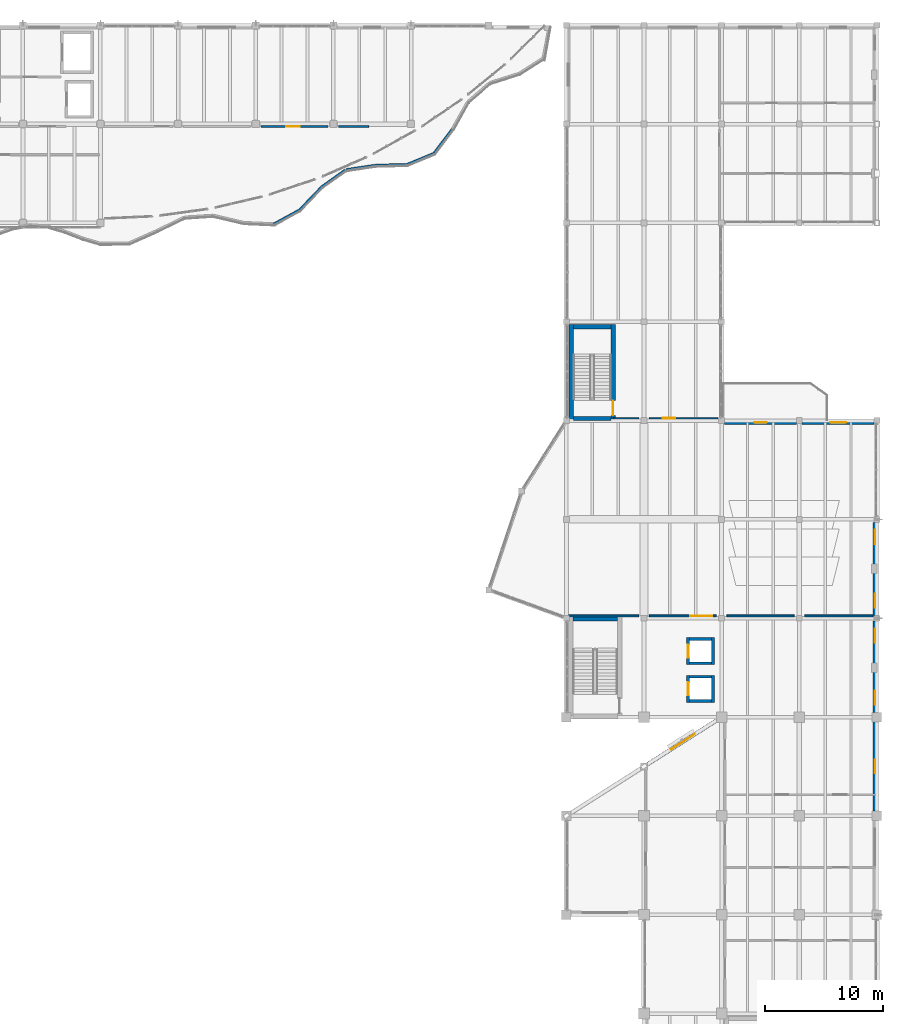
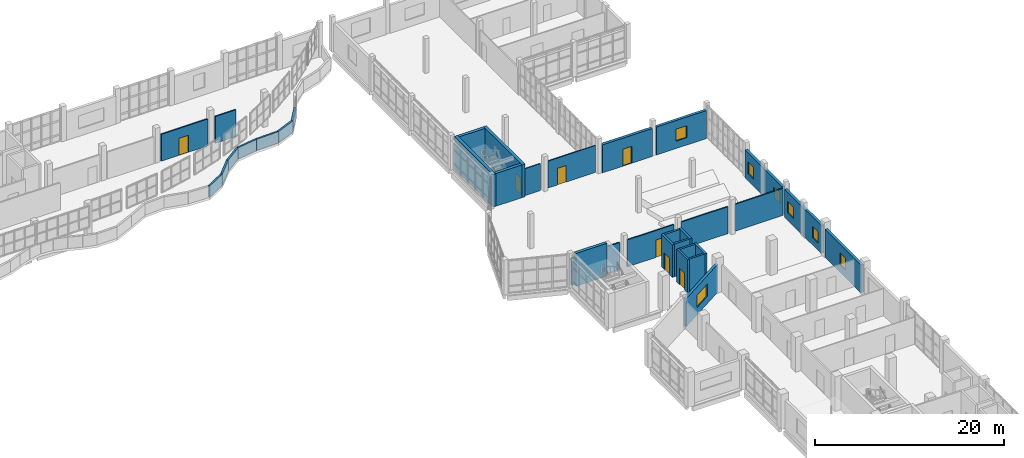
# One storey, part 53 of 76: 34 walls, 7 doors, 7 windows, 14 openings.
"""IFC4 building model written with IfcOpenShell, lengths in metres."""

from ifc_helpers import new_model, si_unit, direction, frame, frame_2d, origin, place, context, subcontext, project, spatial, rectangle, extrude, material, layer, layer_set, type_object, element, fill, save


model = new_model("IFC4")

# Units and contexts
model_context = context("Model", 3, precision=1e-05, world=origin(), true_north=direction((0.0, 1.0)))
body_context = subcontext(model_context, "Body", "Model", "MODEL_VIEW")
ifc_project = project(units=[si_unit("LENGTHUNIT", "METRE"), si_unit("AREAUNIT", "SQUARE_METRE"), si_unit("VOLUMEUNIT", "CUBIC_METRE"), si_unit("PLANEANGLEUNIT", "RADIAN"), si_unit("MASSUNIT", "GRAM", prefix="KILO")], contexts=[model_context])

# Site, building, storey
site_placement = place(None, origin())
site = spatial("IfcSite", under=ifc_project, at=site_placement, CompositionType="ELEMENT")
building_placement = place(site_placement, origin())
building = spatial("IfcBuilding", under=site, at=building_placement, Name="Qaldarim Faculty of Natural and Applied Sciences", CompositionType="ELEMENT")
storey_placement = place(building_placement, frame((0.0, 0.0, 9.89990234375)))
storey = spatial("IfcBuildingStorey", under=building, at=storey_placement, Name="L02", CompositionType="ELEMENT", Elevation=9.89990234375)

# Wall
ifc_material_1 = material(Name="Painted gypsum partition board")
ifc_layer_1 = layer(ifc_material_1, 0.1201171875)
ifc_layer_set_1 = layer_set([ifc_layer_1], Name="Painted gypsum partition board")
wall_type_1 = type_object("IfcWallType", Name="AcousticPartition-120", PredefinedType="PARTITIONING", material=ifc_layer_set_1)
wall_1_placement = place(storey_placement, frame((155.800048828125, 84.199951171875, 0.0), z_axis=(0.0, 0.0, 1.0), x_axis=(1.0, 0.0, 0.0)))
element("IfcWall", 1, at=wall_1_placement, inside=storey, type_object=wall_type_1, Name="Interior partition PRT-L02-V3-STKS-S1", PredefinedType="PARTITIONING", context=body_context, shape_type="SweptSolid", body=[
    extrude(rectangle(XDim=2.14990234375, YDim=0.1201171875, at=frame_2d((1.074951171875, 0.0))), origin(), (0.0, 0.0, 1.0), 3.489990234375),
])

# Wall, opening, door
wall_2_placement = place(storey_placement, frame((158.85009765625, 84.199951171875, 0.0), z_axis=(0.0, 0.0, 1.0), x_axis=(1.0, 0.0, 0.0)))
wall_2 = element("IfcWall", 2, at=wall_2_placement, inside=storey, type_object=wall_type_1, Name="Interior partition PRT-L02-V3-STKS-S2", PredefinedType="PARTITIONING", context=body_context, shape_type="SweptSolid", body=[
    extrude(rectangle(XDim=5.829833984375, YDim=0.1201171875, at=frame_2d((2.9150390625, 0.0))), origin(), (0.0, 0.0, 1.0), 3.489990234375),
])
opening_1_placement = place(wall_2_placement, frame((1.14990234375, 0.0, 0.0)))
opening_1 = element("IfcOpeningElement", 3, at=opening_1_placement, cuts=wall_2, Name="Opening ID02", PredefinedType="OPENING", context=body_context, shape_type="SweptSolid", body=[
    extrude(rectangle(XDim=1.050048828125, YDim=2.14990234375, at=frame_2d((0.52490234375, 1.074951171875))), frame((0.0, 0.070068359375, 0.0), z_axis=(0.0, -1.0, 0.0), x_axis=(1.0, 0.0, 0.0)), (0.0, 0.0, 1.0), 0.14013671875),
])
ifc_material_2 = material(Name="Oak hardwood", Category="wood")
door_type_1 = type_object("IfcDoorType", Name="AccessibleRoomDoor-1050x2150", OperationType="NOTDEFINED", PredefinedType="DOOR", material=ifc_material_2)
door_1_placement = place(opening_1_placement, origin())
door_1 = element("IfcDoor", 4, at=door_1_placement, inside=storey, type_object=door_type_1, Name="Interior door D-L02-220", OperationType="SINGLE_SWING_LEFT", OverallHeight=2.14990234375, OverallWidth=1.050048828125, PredefinedType="DOOR", context=body_context, shape_type="SweptSolid", body=[
    extrude(rectangle(XDim=1.050048828125, YDim=2.14990234375, at=frame_2d((0.52490234375, 1.074951171875))), frame((0.0, 0.02490234375, 0.0), z_axis=(0.0, -1.0, 0.0), x_axis=(1.0, 0.0, 0.0)), (0.0, 0.0, 1.0), 0.050048828125),
])
fill(opening_1, door_1)

# Walls
ifc_material_3 = material(Name="Concrete C50/60", Category="concrete")
ifc_layer_2 = layer(ifc_material_3, 0.360107421875)
ifc_layer_set_2 = layer_set([ifc_layer_2], Name="Concrete C50/60")
wall_type_2 = type_object("IfcWallType", Name="CoreShearWall-360", PredefinedType="SHEAR", material=ifc_layer_set_2)
wall_3_placement = place(storey_placement, frame((152.35009765625, 67.1298828125, 0.0), z_axis=(0.0, 0.0, 1.0), x_axis=(1.0, 0.0, 0.0)))
element("IfcWall", 5, at=wall_3_placement, inside=storey, type_object=wall_type_2, Name="Core stair ST-C1 north shear wall L02", PredefinedType="SHEAR", context=body_context, shape_type="SweptSolid", body=[
    extrude(rectangle(XDim=3.7998046875, YDim=0.360107421875, at=frame_2d((1.89990234375, 0.0))), origin(), (0.0, 0.0, 1.0), 4.239990234375),
])
wall_4_placement = place(storey_placement, frame((152.219970703125, 83.989990234375, 0.0), z_axis=(0.0, 0.0, 1.0), x_axis=(0.0, 1.0, 0.0)))
element("IfcWall", 6, at=wall_4_placement, inside=storey, type_object=wall_type_2, Name="Core stair ST-C2 west shear wall L02", PredefinedType="SHEAR", context=body_context, shape_type="SweptSolid", body=[
    extrude(rectangle(XDim=8.169921875, YDim=0.360107421875, at=frame_2d((4.0849609375, 0.0))), origin(), (0.0, 0.0, 1.0), 4.239990234375),
])

# Wall, opening, door
wall_5_placement = place(storey_placement, frame((155.780029296875, 83.989990234375, 0.0), z_axis=(0.0, 0.0, 1.0), x_axis=(0.0, 1.0, 0.0)))
wall_5 = element("IfcWall", 7, at=wall_5_placement, inside=storey, type_object=wall_type_2, Name="Core stair ST-C2 east shear wall L02", PredefinedType="SHEAR", context=body_context, shape_type="SweptSolid", body=[
    extrude(rectangle(XDim=8.169921875, YDim=0.360107421875, at=frame_2d((4.0849609375, 0.0))), origin(), (0.0, 0.0, 1.0), 4.239990234375),
])
opening_2_placement = place(wall_5_placement, frame((0.449951171875, 0.0, 0.0)))
opening_2 = element("IfcOpeningElement", 8, at=opening_2_placement, cuts=wall_5, Name="Opening ID04", PredefinedType="OPENING", context=body_context, shape_type="SweptSolid", body=[
    extrude(rectangle(XDim=1.25, YDim=2.14990234375, at=frame_2d((0.625, 1.074951171875))), frame((0.0, 0.18994140625, 0.0), z_axis=(0.0, -1.0, 0.0), x_axis=(1.0, 0.0, 0.0)), (0.0, 0.0, 1.0), 0.380126953125),
])
ifc_material_4 = material(Name="Architectural stainless steel 316", Category="steel")
door_type_2 = type_object("IfcDoorType", Name="StairEnclosureFireDoor-1250x2150", OperationType="NOTDEFINED", PredefinedType="DOOR", material=ifc_material_4)
door_2_placement = place(opening_2_placement, origin())
door_2 = element("IfcDoor", 9, at=door_2_placement, inside=storey, type_object=door_type_2, Name="Protected stair ST-C2 fire door D-L02-546", OperationType="SINGLE_SWING_RIGHT", OverallHeight=2.14990234375, OverallWidth=1.25, PredefinedType="DOOR", context=body_context, shape_type="SweptSolid", body=[
    extrude(rectangle(XDim=1.25, YDim=2.14990234375, at=frame_2d((0.625, 1.074951171875))), frame((0.0, 0.02490234375, 0.0), z_axis=(0.0, -1.0, 0.0), x_axis=(1.0, 0.0, 0.0)), (0.0, 0.0, 1.0), 0.050048828125),
])
fill(opening_2, door_2)

# Walls
for number, where, z_axis, x_axis, name in (
    (10, (152.39990234375, 91.97998046875, 0.0), (0.0, 0.0, 1.0), (1.0, 0.0, 0.0), "Core stair ST-C2 north shear wall L02"),
    (11, (152.39990234375, 84.169921875, 0.0), (0.0, 0.0, 1.0), (1.0, 0.0, 0.0), "Core stair ST-C2 south shear wall L02"),
):
    element("IfcWall", number, at=place(storey_placement, frame(where, z_axis=z_axis, x_axis=x_axis)), inside=storey, type_object=wall_type_2, Name=name, PredefinedType="SHEAR", context=body_context, shape_type="SweptSolid", body=[
        extrude(rectangle(XDim=3.2001953125, YDim=0.360107421875, at=frame_2d((1.60009765625, 0.0))), origin(), (0.0, 0.0, 1.0), 4.239990234375),
    ])

# Wall, opening, door
ifc_material_5 = material(Name="Precast concrete C40/50", Category="concrete")
ifc_layer_3 = layer(ifc_material_5, 0.320068359375)
ifc_layer_set_3 = layer_set([ifc_layer_3], Name="Precast concrete C40/50")
wall_type_3 = type_object("IfcWallType", Name="ExteriorLimestoneWall-320", PredefinedType="SOLIDWALL", material=ifc_layer_set_3)
wall_6_placement = place(storey_placement, frame((171.35498046875, 83.840087890625, 0.0), z_axis=(0.0, 0.0, 1.0), x_axis=(-1.0, 0.0, 0.0)))
wall_6 = element("IfcWall", 12, at=wall_6_placement, inside=storey, type_object=wall_type_3, Name="Exterior wall EW01 L02 N X26Y10", PredefinedType="SOLIDWALL", context=body_context, shape_type="SweptSolid", body=[
    extrude(rectangle(XDim=6.10986328125, YDim=0.320068359375, at=frame_2d((3.054931640625, 0.0))), origin(), (0.0, 0.0, 1.0), 3.625),
])
opening_3_placement = place(wall_6_placement, frame((2.5048828125, 0.0, 0.0)))
opening_3 = element("IfcOpeningElement", 13, at=opening_3_placement, cuts=wall_6, Name="Opening ED03", PredefinedType="OPENING", context=body_context, shape_type="SweptSolid", body=[
    extrude(rectangle(XDim=1.10009765625, YDim=2.199951171875, at=frame_2d((0.550048828125, 1.10009765625))), frame((0.0, 0.169921875, 0.0), z_axis=(0.0, -1.0, 0.0), x_axis=(1.0, 0.0, 0.0)), (0.0, 0.0, 1.0), 0.340087890625),
])
ifc_material_6 = material(Name="Anodised aluminium AW-6063", Category="aluminium")
door_type_3 = type_object("IfcDoorType", Name="TerraceAccessDoor-1100x2200", OperationType="NOTDEFINED", PredefinedType="DOOR", material=ifc_material_6)
door_3_placement = place(opening_3_placement, frame((1.10009765625, 0.0, 0.0), z_axis=(0.0, 0.0, 1.0), x_axis=(-1.0, 0.0, 0.0)))
door_3 = element("IfcDoor", 14, at=door_3_placement, inside=storey, type_object=door_type_3, Name="Terrace access door D-L02-023", OperationType="SINGLE_SWING_LEFT", OverallHeight=2.199951171875, OverallWidth=1.10009765625, PredefinedType="DOOR", context=body_context, shape_type="SweptSolid", body=[
    extrude(rectangle(XDim=1.10009765625, YDim=2.199951171875, at=frame_2d((0.550048828125, 1.10009765625))), frame((0.0, 0.02490234375, 0.0), z_axis=(0.0, -1.0, 0.0), x_axis=(1.0, 0.0, 0.0)), (0.0, 0.0, 1.0), 0.050048828125),
])
fill(opening_3, door_3)

# Wall, opening, window
wall_7_placement = place(storey_placement, frame((178.0400390625, 50.794921875, 0.0), z_axis=(0.0, 0.0, 1.0), x_axis=(0.0, 1.0, 0.0)))
wall_7 = element("IfcWall", 15, at=wall_7_placement, inside=storey, type_object=wall_type_3, Name="Exterior wall EW01 L02 E X27Y07", PredefinedType="SOLIDWALL", context=body_context, shape_type="SweptSolid", body=[
    extrude(rectangle(XDim=7.610107421875, YDim=0.320068359375, at=frame_2d((3.80517578125, 0.0))), origin(), (0.0, 0.0, 1.0), 3.625),
])
opening_4_placement = place(wall_7_placement, frame((3.22998046875, 0.0, 0.949951171875)))
opening_4 = element("IfcOpeningElement", 16, at=opening_4_placement, cuts=wall_7, Name="Opening WN31", PredefinedType="OPENING", context=body_context, shape_type="SweptSolid", body=[
    extrude(rectangle(XDim=1.14990234375, YDim=1.60009765625, at=frame_2d((0.574951171875, 0.800048828125))), frame((0.0, 0.169921875, 0.0), z_axis=(0.0, -1.0, 0.0), x_axis=(1.0, 0.0, 0.0)), (0.0, 0.0, 1.0), 0.340087890625),
])
ifc_material_7 = material(Name="Insulated low-e double glazing", Category="glass")
window_type_1 = type_object("IfcWindowType", Name="SeminarWindow-1150x1600", PartitioningType="SINGLE_PANEL", PredefinedType="WINDOW", material=ifc_material_7)
window_1_placement = place(opening_4_placement, origin())
window_1 = element("IfcWindow", 17, at=window_1_placement, inside=storey, type_object=window_type_1, Name="Facade window WN31 L02 E X27Y07", OverallHeight=1.60009765625, OverallWidth=1.14990234375, PartitioningType="SINGLE_PANEL", PredefinedType="WINDOW", context=body_context, shape_type="SweptSolid", body=[
    extrude(rectangle(XDim=1.14990234375, YDim=1.60009765625, at=frame_2d((0.574951171875, 0.800048828125))), frame((0.0, 0.030029296875, 0.0), z_axis=(0.0, -1.0, 0.0), x_axis=(1.0, 0.0, 0.0)), (0.0, 0.0, 1.0), 0.06005859375),
])
fill(opening_4, window_1)

# Wall, openings, windows
wall_8_placement = place(storey_placement, frame((178.0400390625, 59.195068359375, 0.0), z_axis=(0.0, 0.0, 1.0), x_axis=(0.0, 1.0, 0.0)))
wall_8 = element("IfcWall", 18, at=wall_8_placement, inside=storey, type_object=wall_type_3, Name="Exterior wall EW01 L02 E X27Y08", PredefinedType="SOLIDWALL", context=body_context, shape_type="SweptSolid", body=[
    extrude(rectangle(XDim=7.760009765625, YDim=0.320068359375, at=frame_2d((3.8798828125, 0.0))), origin(), (0.0, 0.0, 1.0), 3.625),
])
opening_5_placement = place(wall_8_placement, frame((0.64990234375, 0.0, 0.949951171875)))
opening_5 = element("IfcOpeningElement", 19, at=opening_5_placement, cuts=wall_8, Name="Opening WN01", PredefinedType="OPENING", context=body_context, shape_type="SweptSolid", body=[
    extrude(rectangle(XDim=1.199951171875, YDim=1.5, at=frame_2d((0.60009765625, 0.75))), frame((0.0, 0.169921875, 0.0), z_axis=(0.0, -1.0, 0.0), x_axis=(1.0, 0.0, 0.0)), (0.0, 0.0, 1.0), 0.340087890625),
])
opening_6_placement = place(wall_8_placement, frame((5.909912109375, 0.0, 0.949951171875)))
opening_6 = element("IfcOpeningElement", 20, at=opening_6_placement, cuts=wall_8, Name="Opening WN01", PredefinedType="OPENING", context=body_context, shape_type="SweptSolid", body=[
    extrude(rectangle(XDim=1.199951171875, YDim=1.5, at=frame_2d((0.60009765625, 0.75))), frame((0.0, 0.169921875, 0.0), z_axis=(0.0, -1.0, 0.0), x_axis=(1.0, 0.0, 0.0)), (0.0, 0.0, 1.0), 0.340087890625),
])
window_type_2 = type_object("IfcWindowType", Name="Window-1200x1500", PartitioningType="SINGLE_PANEL", PredefinedType="WINDOW", material=ifc_material_7)
window_2_placement = place(opening_5_placement, origin())
window_2 = element("IfcWindow", 21, at=window_2_placement, inside=storey, type_object=window_type_2, Name="Pilaster-bay flanking window L02 E X27Y08-1", OverallHeight=1.5, OverallWidth=1.199951171875, PartitioningType="SINGLE_PANEL", PredefinedType="WINDOW", context=body_context, shape_type="SweptSolid", body=[
    extrude(rectangle(XDim=1.199951171875, YDim=1.5, at=frame_2d((0.60009765625, 0.75))), frame((0.0, 0.030029296875, 0.0), z_axis=(0.0, -1.0, 0.0), x_axis=(1.0, 0.0, 0.0)), (0.0, 0.0, 1.0), 0.06005859375),
])
fill(opening_5, window_2)
window_3_placement = place(opening_6_placement, origin())
window_3 = element("IfcWindow", 22, at=window_3_placement, inside=storey, type_object=window_type_2, Name="Pilaster-bay flanking window L02 E X27Y08-2", OverallHeight=1.5, OverallWidth=1.199951171875, PartitioningType="SINGLE_PANEL", PredefinedType="WINDOW", context=body_context, shape_type="SweptSolid", body=[
    extrude(rectangle(XDim=1.199951171875, YDim=1.5, at=frame_2d((0.60009765625, 0.75))), frame((0.0, 0.030029296875, 0.0), z_axis=(0.0, -1.0, 0.0), x_axis=(1.0, 0.0, 0.0)), (0.0, 0.0, 1.0), 0.06005859375),
])
fill(opening_6, window_3)

wall_9_placement = place(storey_placement, frame((178.0400390625, 67.445068359375, 0.0), z_axis=(0.0, 0.0, 1.0), x_axis=(0.0, 1.0, 0.0)))
wall_9 = element("IfcWall", 23, at=wall_9_placement, inside=storey, type_object=wall_type_3, Name="Exterior wall EW01 L02 E X27Y09", PredefinedType="SOLIDWALL", context=body_context, shape_type="SweptSolid", body=[
    extrude(rectangle(XDim=7.909912109375, YDim=0.320068359375, at=frame_2d((3.955078125, 0.0))), origin(), (0.0, 0.0, 1.0), 3.625),
])
opening_7_placement = place(wall_9_placement, frame((0.64990234375, 0.0, 0.949951171875)))
opening_7 = element("IfcOpeningElement", 24, at=opening_7_placement, cuts=wall_9, Name="Opening WN01", PredefinedType="OPENING", context=body_context, shape_type="SweptSolid", body=[
    extrude(rectangle(XDim=1.199951171875, YDim=1.5, at=frame_2d((0.60009765625, 0.75))), frame((0.0, 0.169921875, 0.0), z_axis=(0.0, -1.0, 0.0), x_axis=(1.0, 0.0, 0.0)), (0.0, 0.0, 1.0), 0.340087890625),
])
opening_8_placement = place(wall_9_placement, frame((6.06005859375, 0.0, 0.949951171875)))
opening_8 = element("IfcOpeningElement", 25, at=opening_8_placement, cuts=wall_9, Name="Opening WN01", PredefinedType="OPENING", context=body_context, shape_type="SweptSolid", body=[
    extrude(rectangle(XDim=1.199951171875, YDim=1.5, at=frame_2d((0.60009765625, 0.75))), frame((0.0, 0.169921875, 0.0), z_axis=(0.0, -1.0, 0.0), x_axis=(1.0, 0.0, 0.0)), (0.0, 0.0, 1.0), 0.340087890625),
])
window_4_placement = place(opening_7_placement, origin())
window_4 = element("IfcWindow", 26, at=window_4_placement, inside=storey, type_object=window_type_2, Name="Pilaster-bay flanking window L02 E X27Y09-1", OverallHeight=1.5, OverallWidth=1.199951171875, PartitioningType="SINGLE_PANEL", PredefinedType="WINDOW", context=body_context, shape_type="SweptSolid", body=[
    extrude(rectangle(XDim=1.199951171875, YDim=1.5, at=frame_2d((0.60009765625, 0.75))), frame((0.0, 0.030029296875, 0.0), z_axis=(0.0, -1.0, 0.0), x_axis=(1.0, 0.0, 0.0)), (0.0, 0.0, 1.0), 0.06005859375),
])
fill(opening_7, window_4)
window_5_placement = place(opening_8_placement, origin())
window_5 = element("IfcWindow", 27, at=window_5_placement, inside=storey, type_object=window_type_2, Name="Pilaster-bay flanking window L02 E X27Y09-2", OverallHeight=1.5, OverallWidth=1.199951171875, PartitioningType="SINGLE_PANEL", PredefinedType="WINDOW", context=body_context, shape_type="SweptSolid", body=[
    extrude(rectangle(XDim=1.199951171875, YDim=1.5, at=frame_2d((0.60009765625, 0.75))), frame((0.0, 0.030029296875, 0.0), z_axis=(0.0, -1.0, 0.0), x_axis=(1.0, 0.0, 0.0)), (0.0, 0.0, 1.0), 0.06005859375),
])
fill(opening_8, window_5)

# Wall, opening, window
wall_10_placement = place(storey_placement, frame((177.955078125, 83.840087890625, 0.0), z_axis=(0.0, 0.0, 1.0), x_axis=(-1.0, 0.0, 0.0)))
wall_10 = element("IfcWall", 28, at=wall_10_placement, inside=storey, type_object=wall_type_3, Name="Exterior wall EW01 L02 N X27Y10", PredefinedType="SOLIDWALL", context=body_context, shape_type="SweptSolid", body=[
    extrude(rectangle(XDim=6.110107421875, YDim=0.320068359375, at=frame_2d((3.05517578125, 0.0))), origin(), (0.0, 0.0, 1.0), 3.625),
])
opening_9_placement = place(wall_10_placement, frame((2.3798828125, 0.0, 0.949951171875)))
opening_9 = element("IfcOpeningElement", 29, at=opening_9_placement, cuts=wall_10, Name="Opening WN09", PredefinedType="OPENING", context=body_context, shape_type="SweptSolid", body=[
    extrude(rectangle(XDim=1.35009765625, YDim=1.550048828125, at=frame_2d((0.675048828125, 0.77490234375))), frame((0.0, 0.169921875, 0.0), z_axis=(0.0, -1.0, 0.0), x_axis=(1.0, 0.0, 0.0)), (0.0, 0.0, 1.0), 0.340087890625),
])
window_type_3 = type_object("IfcWindowType", Name="LabWindow-1350x1550", PartitioningType="SINGLE_PANEL", PredefinedType="WINDOW", material=ifc_material_7)
window_6_placement = place(opening_9_placement, origin())
window_6 = element("IfcWindow", 30, at=window_6_placement, inside=storey, type_object=window_type_3, Name="Facade window WN09 L02 N X27Y10", OverallHeight=1.550048828125, OverallWidth=1.35009765625, PartitioningType="SINGLE_PANEL", PredefinedType="WINDOW", context=body_context, shape_type="SweptSolid", body=[
    extrude(rectangle(XDim=1.35009765625, YDim=1.550048828125, at=frame_2d((0.675048828125, 0.77490234375))), frame((0.0, 0.030029296875, 0.0), z_axis=(0.0, -1.0, 0.0), x_axis=(1.0, 0.0, 0.0)), (0.0, 0.0, 1.0), 0.06005859375),
])
fill(opening_9, window_6)

wall_11_placement = place(storey_placement, frame((158.64990234375, 54.760009765625, 0.0), z_axis=(0.0, 0.0, 1.0), x_axis=(0.843786613851, 0.536678814829, 0.0)))
wall_11 = element("IfcWall", 31, at=wall_11_placement, inside=storey, type_object=wall_type_3, Name="Oblique NW chamfer fenestrated wall L02 2", PredefinedType="SOLIDWALL", context=body_context, shape_type="SweptSolid", body=[
    extrude(rectangle(XDim=7.2294921875, YDim=0.320068359375, at=frame_2d((3.61474609375, 0.0))), origin(), (0.0, 0.0, 1.0), 3.625),
])
opening_10_placement = place(wall_11_placement, frame((2.4150390625, 0.0, 0.949951171875)))
opening_10 = element("IfcOpeningElement", 32, at=opening_10_placement, cuts=wall_11, Name="Opening WN03", PredefinedType="OPENING", context=body_context, shape_type="SweptSolid", body=[
    extrude(rectangle(XDim=2.39990234375, YDim=1.60009765625, at=frame_2d((1.199951171875, 0.800048828125))), frame((0.0, 0.169921875, 0.0), z_axis=(0.0, -1.0, 0.0), x_axis=(1.0, 0.0, 0.0)), (0.0, 0.0, 1.0), 0.340087890625),
])
window_type_4 = type_object("IfcWindowType", Name="Window-2400x1600", PartitioningType="TRIPLE_PANEL_VERTICAL", PredefinedType="WINDOW", material=ifc_material_7)
window_7_placement = place(opening_10_placement, origin())
window_7 = element("IfcWindow", 33, at=window_7_placement, inside=storey, type_object=window_type_4, Name="Oblique NW chamfer window L02 2", OverallHeight=1.60009765625, OverallWidth=2.39990234375, PartitioningType="SINGLE_PANEL", PredefinedType="WINDOW", context=body_context, shape_type="SweptSolid", body=[
    extrude(rectangle(XDim=2.39990234375, YDim=1.60009765625, at=frame_2d((1.199951171875, 0.800048828125))), frame((0.0, 0.030029296875, 0.0), z_axis=(0.0, -1.0, 0.0), x_axis=(1.0, 0.0, 0.0)), (0.0, 0.0, 1.0), 0.06005859375),
])
fill(opening_10, window_7)

# Wall, opening, door
ifc_material_8 = material(Name="Concrete C40/50", Category="concrete")
ifc_layer_4 = layer(ifc_material_8, 0.159912109375)
ifc_layer_set_4 = layer_set([ifc_layer_4], Name="Concrete C40/50")
wall_type_4 = type_object("IfcWallType", Name="FireCorridorWall-160", PredefinedType="PARTITIONING", material=ifc_layer_set_4)
wall_12_placement = place(storey_placement, frame((125.85009765625, 109.0, 0.0), z_axis=(0.0, 0.0, 1.0), x_axis=(1.0, 0.0, 0.0)))
wall_12 = element("IfcWall", 34, at=wall_12_placement, inside=storey, type_object=wall_type_4, Name="Interior partition PRT-L02-V4-CORSE-S3", PredefinedType="PARTITIONING", context=body_context, shape_type="SweptSolid", body=[
    extrude(rectangle(XDim=5.699951171875, YDim=0.159912109375, at=frame_2d((2.85009765625, 0.0))), origin(), (0.0, 0.0, 1.0), 3.47509765625),
])
opening_11_placement = place(wall_12_placement, frame((2.14990234375, 0.0, 0.0)))
opening_11 = element("IfcOpeningElement", 35, at=opening_11_placement, cuts=wall_12, Name="Opening ID09", PredefinedType="OPENING", context=body_context, shape_type="SweptSolid", body=[
    extrude(rectangle(XDim=1.14990234375, YDim=2.199951171875, at=frame_2d((0.574951171875, 1.10009765625))), frame((0.0, 0.08984375, 0.0), z_axis=(0.0, -1.0, 0.0), x_axis=(1.0, 0.0, 0.0)), (0.0, 0.0, 1.0), 0.179931640625),
])
door_type_4 = type_object("IfcDoorType", Name="CleanroomAirlockDoor-1150x2200", OperationType="NOTDEFINED", PredefinedType="DOOR", material=ifc_material_4)
door_4_placement = place(opening_11_placement, origin())
door_4 = element("IfcDoor", 36, at=door_4_placement, inside=storey, type_object=door_type_4, Name="Interior door D-L02-218", OperationType="SINGLE_SWING_RIGHT", OverallHeight=2.199951171875, OverallWidth=1.14990234375, PredefinedType="DOOR", context=body_context, shape_type="SweptSolid", body=[
    extrude(rectangle(XDim=1.14990234375, YDim=2.199951171875, at=frame_2d((0.574951171875, 1.10009765625))), frame((0.0, 0.02490234375, 0.0), z_axis=(0.0, -1.0, 0.0), x_axis=(1.0, 0.0, 0.0)), (0.0, 0.0, 1.0), 0.050048828125),
])
fill(opening_11, door_4)

# Walls
wall_13_placement = place(storey_placement, frame((132.449951171875, 109.0, 0.0), z_axis=(0.0, 0.0, 1.0), x_axis=(1.0, 0.0, 0.0)))
element("IfcWall", 37, at=wall_13_placement, inside=storey, type_object=wall_type_4, Name="Interior partition PRT-L02-V4-CORSE-S4", PredefinedType="PARTITIONING", context=body_context, shape_type="SweptSolid", body=[
    extrude(rectangle(XDim=2.550048828125, YDim=0.159912109375, at=frame_2d((1.27490234375, 0.0))), origin(), (0.0, 0.0, 1.0), 3.47509765625),
])
wall_14_placement = place(storey_placement, frame((152.0, 67.39990234375, 0.0), z_axis=(0.0, 0.0, 1.0), x_axis=(1.0, 0.0, 0.0)))
element("IfcWall", 38, at=wall_14_placement, inside=storey, type_object=wall_type_4, Name="Interior partition PRT-L02-V3-RDRS-S1", PredefinedType="PARTITIONING", context=body_context, shape_type="SweptSolid", body=[
    extrude(rectangle(XDim=5.949951171875, YDim=0.159912109375, at=frame_2d((2.97509765625, 0.0))), origin(), (0.0, 0.0, 1.0), 3.489990234375),
])

# Wall, opening, door
wall_15_placement = place(storey_placement, frame((158.85009765625, 67.39990234375, 0.0), z_axis=(0.0, 0.0, 1.0), x_axis=(1.0, 0.0, 0.0)))
wall_15 = element("IfcWall", 39, at=wall_15_placement, inside=storey, type_object=wall_type_4, Name="Interior partition PRT-L02-V3-RDRS-S2", PredefinedType="PARTITIONING", context=body_context, shape_type="SweptSolid", body=[
    extrude(rectangle(XDim=5.699951171875, YDim=0.159912109375, at=frame_2d((2.85009765625, 0.0))), origin(), (0.0, 0.0, 1.0), 3.489990234375),
])
opening_12_placement = place(wall_15_placement, frame((3.5, 0.0, 0.0)))
opening_12 = element("IfcOpeningElement", 40, at=opening_12_placement, cuts=wall_15, Name="Opening ID05", PredefinedType="OPENING", context=body_context, shape_type="SweptSolid", body=[
    extrude(rectangle(XDim=1.85009765625, YDim=2.25, at=frame_2d((0.925048828125, 1.125))), frame((0.0, 0.08984375, 0.0), z_axis=(0.0, -1.0, 0.0), x_axis=(1.0, 0.0, 0.0)), (0.0, 0.0, 1.0), 0.179931640625),
])
door_type_5 = type_object("IfcDoorType", Name="LectureDoubleDoor-1850x2250", OperationType="NOTDEFINED", PredefinedType="DOOR", material=ifc_material_2)
door_5_placement = place(opening_12_placement, origin())
door_5 = element("IfcDoor", 41, at=door_5_placement, inside=storey, type_object=door_type_5, Name="Interior door D-L02-219", OperationType="DOUBLE_DOOR_SINGLE_SWING", OverallHeight=2.25, OverallWidth=1.85009765625, PredefinedType="DOOR", context=body_context, shape_type="SweptSolid", body=[
    extrude(rectangle(XDim=1.85009765625, YDim=2.25, at=frame_2d((0.925048828125, 1.125))), frame((0.0, 0.02490234375, 0.0), z_axis=(0.0, -1.0, 0.0), x_axis=(1.0, 0.0, 0.0)), (0.0, 0.0, 1.0), 0.050048828125),
])
fill(opening_12, door_5)

# Walls
wall_16_placement = place(storey_placement, frame((165.449951171875, 67.39990234375, 0.0), z_axis=(0.0, 0.0, 1.0), x_axis=(1.0, 0.0, 0.0)))
element("IfcWall", 42, at=wall_16_placement, inside=storey, type_object=wall_type_4, Name="Interior partition PRT-L02-V3-RDRS-S3", PredefinedType="PARTITIONING", context=body_context, shape_type="SweptSolid", body=[
    extrude(rectangle(XDim=5.699951171875, YDim=0.159912109375, at=frame_2d((2.85009765625, 0.0))), origin(), (0.0, 0.0, 1.0), 3.489990234375),
])
wall_17_placement = place(storey_placement, frame((172.050048828125, 67.39990234375, 0.0), z_axis=(0.0, 0.0, 1.0), x_axis=(1.0, 0.0, 0.0)))
element("IfcWall", 43, at=wall_17_placement, inside=storey, type_object=wall_type_4, Name="Interior partition PRT-L02-V3-RDRS-S4", PredefinedType="PARTITIONING", context=body_context, shape_type="SweptSolid", body=[
    extrude(rectangle(XDim=5.829833984375, YDim=0.159912109375, at=frame_2d((2.9150390625, 0.0))), origin(), (0.0, 0.0, 1.0), 3.489990234375),
])

# Wall, opening, door
ifc_layer_5 = layer(ifc_material_8, 0.25)
ifc_layer_set_5 = layer_set([ifc_layer_5], Name="Concrete C40/50")
wall_type_5 = type_object("IfcWallType", Name="LiftShaftWall-250", PredefinedType="SHEAR", material=ifc_layer_set_5)
wall_18_placement = place(storey_placement, frame((162.125, 60.050048828125, 0.0), z_axis=(0.0, 0.0, 1.0), x_axis=(0.0, 1.0, 0.0)))
wall_18 = element("IfcWall", 44, at=wall_18_placement, inside=storey, type_object=wall_type_5, Name="Lift LF-C1 front shaft wall L02", PredefinedType="SHEAR", context=body_context, shape_type="SweptSolid", body=[
    extrude(rectangle(XDim=2.300048828125, YDim=0.25, at=frame_2d((1.14990234375, 0.0))), origin(), (0.0, 0.0, 1.0), 4.239990234375),
])
opening_13_placement = place(wall_18_placement, frame((0.60009765625, 0.0, 0.0)))
opening_13 = element("IfcOpeningElement", 45, at=opening_13_placement, cuts=wall_18, Name="Opening LD01", PredefinedType="OPENING", context=body_context, shape_type="SweptSolid", body=[
    extrude(rectangle(XDim=1.10009765625, YDim=2.14990234375, at=frame_2d((0.550048828125, 1.074951171875))), frame((0.0, 0.135009765625, 0.0), z_axis=(0.0, -1.0, 0.0), x_axis=(1.0, 0.0, 0.0)), (0.0, 0.0, 1.0), 0.27001953125),
])
door_type_6 = type_object("IfcDoorType", Name="LiftLandingSlidingDoor-1100x2150", OperationType="NOTDEFINED", PredefinedType="DOOR", material=ifc_material_4)
door_6_placement = place(opening_13_placement, origin())
door_6 = element("IfcDoor", 46, at=door_6_placement, inside=storey, type_object=door_type_6, Name="Lift landing sliding door LF-C1 D-L02-653", OperationType="SLIDING_TO_LEFT", OverallHeight=2.14990234375, OverallWidth=1.10009765625, PredefinedType="DOOR", context=body_context, shape_type="SweptSolid", body=[
    extrude(rectangle(XDim=1.10009765625, YDim=2.14990234375, at=frame_2d((0.550048828125, 1.074951171875))), frame((0.0, 0.02490234375, 0.0), z_axis=(0.0, -1.0, 0.0), x_axis=(1.0, 0.0, 0.0)), (0.0, 0.0, 1.0), 0.050048828125),
])
fill(opening_13, door_6)

# Walls
wall_19_placement = place(storey_placement, frame((164.27490234375, 60.050048828125, 0.0), z_axis=(0.0, 0.0, 1.0), x_axis=(0.0, 1.0, 0.0)))
element("IfcWall", 47, at=wall_19_placement, inside=storey, type_object=wall_type_5, Name="Lift LF-C1 rear shaft wall L02", PredefinedType="SHEAR", context=body_context, shape_type="SweptSolid", body=[
    extrude(rectangle(XDim=2.300048828125, YDim=0.25, at=frame_2d((1.14990234375, 0.0))), origin(), (0.0, 0.0, 1.0), 4.239990234375),
])
for number, where, z_axis, x_axis, name in (
    (48, (162.25, 60.175048828125, 0.0), (0.0, 0.0, 1.0), (1.0, 0.0, 0.0), "Lift LF-C1 south shaft wall L02"),
    (49, (162.25, 62.22509765625, 0.0), (0.0, 0.0, 1.0), (1.0, 0.0, 0.0), "Lift LF-C1 north shaft wall L02"),
):
    element("IfcWall", number, at=place(storey_placement, frame(where, z_axis=z_axis, x_axis=x_axis)), inside=storey, type_object=wall_type_5, Name=name, PredefinedType="SHEAR", context=body_context, shape_type="SweptSolid", body=[
        extrude(rectangle(XDim=1.89990234375, YDim=0.25, at=frame_2d((0.949951171875, 0.0))), origin(), (0.0, 0.0, 1.0), 4.239990234375),
    ])

# Wall, opening, door
wall_20_placement = place(storey_placement, frame((162.125, 63.25, 0.0), z_axis=(0.0, 0.0, 1.0), x_axis=(0.0, 1.0, 0.0)))
wall_20 = element("IfcWall", 50, at=wall_20_placement, inside=storey, type_object=wall_type_5, Name="Lift LF-C2 front shaft wall L02", PredefinedType="SHEAR", context=body_context, shape_type="SweptSolid", body=[
    extrude(rectangle(XDim=2.300048828125, YDim=0.25, at=frame_2d((1.14990234375, 0.0))), origin(), (0.0, 0.0, 1.0), 4.239990234375),
])
opening_14_placement = place(wall_20_placement, frame((0.60009765625, 0.0, 0.0)))
opening_14 = element("IfcOpeningElement", 51, at=opening_14_placement, cuts=wall_20, Name="Opening LD01", PredefinedType="OPENING", context=body_context, shape_type="SweptSolid", body=[
    extrude(rectangle(XDim=1.10009765625, YDim=2.14990234375, at=frame_2d((0.550048828125, 1.074951171875))), frame((0.0, 0.135009765625, 0.0), z_axis=(0.0, -1.0, 0.0), x_axis=(1.0, 0.0, 0.0)), (0.0, 0.0, 1.0), 0.27001953125),
])
door_7_placement = place(opening_14_placement, origin())
door_7 = element("IfcDoor", 52, at=door_7_placement, inside=storey, type_object=door_type_6, Name="Lift landing sliding door LF-C2 D-L02-659", OperationType="SLIDING_TO_LEFT", OverallHeight=2.14990234375, OverallWidth=1.10009765625, PredefinedType="DOOR", context=body_context, shape_type="SweptSolid", body=[
    extrude(rectangle(XDim=1.10009765625, YDim=2.14990234375, at=frame_2d((0.550048828125, 1.074951171875))), frame((0.0, 0.02490234375, 0.0), z_axis=(0.0, -1.0, 0.0), x_axis=(1.0, 0.0, 0.0)), (0.0, 0.0, 1.0), 0.050048828125),
])
fill(opening_14, door_7)

# Walls
wall_21_placement = place(storey_placement, frame((164.27490234375, 63.25, 0.0), z_axis=(0.0, 0.0, 1.0), x_axis=(0.0, 1.0, 0.0)))
element("IfcWall", 53, at=wall_21_placement, inside=storey, type_object=wall_type_5, Name="Lift LF-C2 rear shaft wall L02", PredefinedType="SHEAR", context=body_context, shape_type="SweptSolid", body=[
    extrude(rectangle(XDim=2.300048828125, YDim=0.25, at=frame_2d((1.14990234375, 0.0))), origin(), (0.0, 0.0, 1.0), 4.239990234375),
])
for number, where, z_axis, x_axis, name in (
    (54, (162.25, 63.375, 0.0), (0.0, 0.0, 1.0), (1.0, 0.0, 0.0), "Lift LF-C2 south shaft wall L02"),
    (55, (162.25, 65.425048828125, 0.0), (0.0, 0.0, 1.0), (1.0, 0.0, 0.0), "Lift LF-C2 north shaft wall L02"),
):
    element("IfcWall", number, at=place(storey_placement, frame(where, z_axis=z_axis, x_axis=x_axis)), inside=storey, type_object=wall_type_5, Name=name, PredefinedType="SHEAR", context=body_context, shape_type="SweptSolid", body=[
        extrude(rectangle(XDim=1.89990234375, YDim=0.25, at=frame_2d((0.949951171875, 0.0))), origin(), (0.0, 0.0, 1.0), 4.239990234375),
    ])
ifc_material_9 = material(Name="White architectural precast concrete C40/50", Category="concrete")
ifc_layer_6 = layer(ifc_material_9, 0.219970703125)
ifc_layer_set_6 = layer_set([ifc_layer_6], Name="White architectural precast concrete C40/50")
wall_type_6 = type_object("IfcWallType", Name="WhitePrecastWaveBand-220", PredefinedType="SOLIDWALL", material=ifc_layer_set_6)
wall_22_placement = place(storey_placement, frame((126.9150390625, 100.68994140625, 0.0), z_axis=(0.0, 0.0, 1.0), x_axis=(0.877641494631, 0.479317647183, 0.0)))
element("IfcWall", 56, at=wall_22_placement, inside=storey, type_object=wall_type_6, Name="White precast wave spandrel band L02 chord 60", PredefinedType="SOLIDWALL", context=body_context, shape_type="SweptSolid", body=[
    extrude(rectangle(XDim=2.53515625, YDim=0.219970703125, at=frame_2d((1.267578125, 0.0))), origin(), (0.0, 0.0, 1.0), 1.4501953125),
])
wall_23_placement = place(storey_placement, frame((129.10498046875, 101.875, 0.0), z_axis=(0.0, 0.0, 1.0), x_axis=(0.692334484757, 0.721576718871, 0.0)))
element("IfcWall", 57, at=wall_23_placement, inside=storey, type_object=wall_type_6, Name="White precast wave spandrel band L02 chord 61", PredefinedType="SOLIDWALL", context=body_context, shape_type="SweptSolid", body=[
    extrude(rectangle(XDim=2.72998046875, YDim=0.219970703125, at=frame_2d((1.364990234375, 0.0))), origin(), (0.0, 0.0, 1.0), 1.4501953125),
])
wall_24_placement = place(storey_placement, frame((131.014892578125, 103.864990234375, 0.0), z_axis=(0.0, 0.0, 1.0), x_axis=(0.814175313257, 0.580619117222, 0.0)))
element("IfcWall", 58, at=wall_24_placement, inside=storey, type_object=wall_type_6, Name="White precast wave spandrel band L02 chord 62", PredefinedType="SOLIDWALL", context=body_context, shape_type="SweptSolid", body=[
    extrude(rectangle(XDim=2.462890625, YDim=0.219970703125, at=frame_2d((1.2314453125, 0.0))), origin(), (0.0, 0.0, 1.0), 1.4501953125),
])
wall_25_placement = place(storey_placement, frame((133.080078125, 105.320068359375, 0.0), z_axis=(0.0, 0.0, 1.0), x_axis=(0.989102526392, 0.147228367801, 0.0)))
element("IfcWall", 59, at=wall_25_placement, inside=storey, type_object=wall_type_6, Name="White precast wave spandrel band L02 chord 63", PredefinedType="SOLIDWALL", context=body_context, shape_type="SweptSolid", body=[
    extrude(rectangle(XDim=2.51220703125, YDim=0.219970703125, at=frame_2d((1.256103515625, 0.0))), origin(), (0.0, 0.0, 1.0), 1.4501953125),
])
wall_26_placement = place(storey_placement, frame((135.580078125, 105.68994140625, 0.0), z_axis=(0.0, 0.0, 1.0), x_axis=(0.999621910879, 0.027496095927, 0.0)))
element("IfcWall", 60, at=wall_26_placement, inside=storey, type_object=wall_type_6, Name="White precast wave spandrel band L02 chord 64", PredefinedType="SOLIDWALL", context=body_context, shape_type="SweptSolid", body=[
    extrude(rectangle(XDim=2.725830078125, YDim=0.219970703125, at=frame_2d((1.36279296875, 0.0))), origin(), (0.0, 0.0, 1.0), 1.4501953125),
])
wall_27_placement = place(storey_placement, frame((138.2548828125, 105.7548828125, 0.0), z_axis=(0.0, 0.0, 1.0), x_axis=(0.923991954969, 0.382411907702, 0.0)))
element("IfcWall", 61, at=wall_27_placement, inside=storey, type_object=wall_type_6, Name="White precast wave spandrel band L02 chord 65", PredefinedType="SOLIDWALL", context=body_context, shape_type="SweptSolid", body=[
    extrude(rectangle(XDim=2.510986328125, YDim=0.219970703125, at=frame_2d((1.25537109375, 0.0))), origin(), (0.0, 0.0, 1.0), 1.4501953125),
])
wall_28_placement = place(storey_placement, frame((140.52001953125, 106.669921875, 0.0), z_axis=(0.0, 0.0, 1.0), x_axis=(0.604579472853, 0.796544826739, 0.0)))
element("IfcWall", 62, at=wall_28_placement, inside=storey, type_object=wall_type_6, Name="White precast wave spandrel band L02 chord 66", PredefinedType="SOLIDWALL", context=body_context, shape_type="SweptSolid", body=[
    extrude(rectangle(XDim=2.630126953125, YDim=0.219970703125, at=frame_2d((1.31494140625, 0.0))), origin(), (0.0, 0.0, 1.0), 1.4501953125),
])

save(model, "model.ifc")
